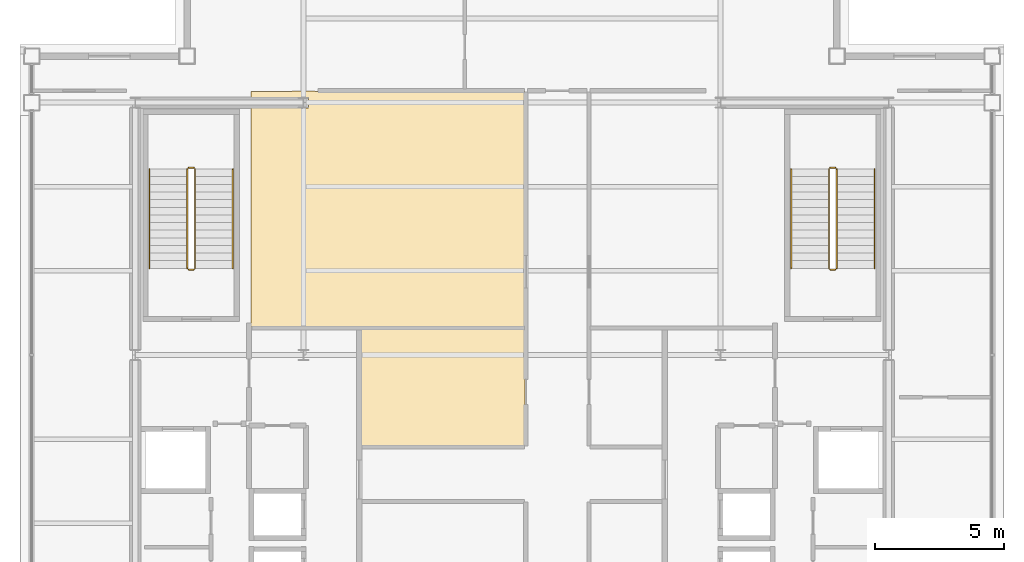
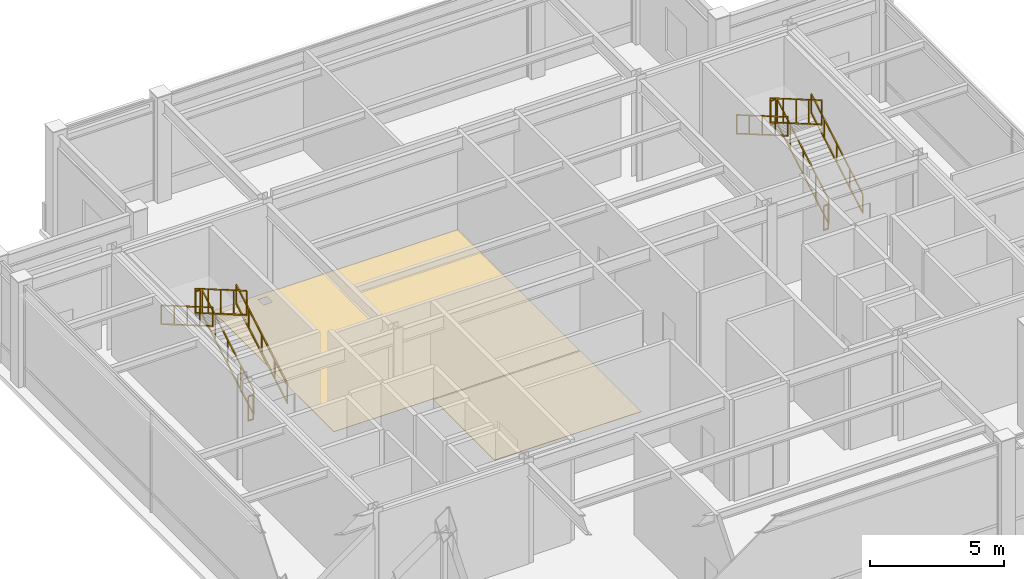
# One storey, part 21 of 21: 12 railings, 2 coverings.
"""IFC4 building model written with IfcOpenShell, lengths in metres."""

from ifc_helpers import new_model, si_unit, direction, frame, origin, origin_2d, place, context, subcontext, project, spatial, polyline, rectangle, outline, extrude, material, layer, layer_set, type_object, element, save


model = new_model("IFC4")

# Units and contexts
model_context = context("Model", 3, precision=1e-05, world=origin(), true_north=direction((0.0, 1.0)))
body_context = subcontext(model_context, "Body", "Model", "MODEL_VIEW")
ifc_project = project(units=[si_unit("LENGTHUNIT", "METRE"), si_unit("AREAUNIT", "SQUARE_METRE"), si_unit("VOLUMEUNIT", "CUBIC_METRE"), si_unit("PLANEANGLEUNIT", "RADIAN"), si_unit("MASSUNIT", "GRAM", prefix="KILO")], contexts=[model_context])

# Site, building, storey
site_placement = place(None, origin())
site = spatial("IfcSite", under=ifc_project, at=site_placement, CompositionType="ELEMENT")
building_placement = place(site_placement, origin())
building = spatial("IfcBuilding", under=site, at=building_placement, Name="Brelmoor Portico Tower", CompositionType="ELEMENT")
storey_placement = place(building_placement, frame((0.0, 0.0, 284.39990234375)))
storey = spatial("IfcBuildingStorey", under=building, at=storey_placement, Name="L75", CompositionType="ELEMENT", Elevation=284.39990234375)

# Coverings
ifc_material_1 = material(Name="Solution-Dyed Nylon Acoustic Carpet Tile", Category="textile")
ifc_layer_1 = layer(ifc_material_1, 0.013916015625)
ifc_layer_set_1 = layer_set([ifc_layer_1], Name="Solution-Dyed Nylon Acoustic Carpet Tile")
covering_type_1 = type_object("IfcCoveringType", Name="CV-FLR-CARPET-14", PredefinedType="FLOORING", material=ifc_layer_set_1)
covering_1_placement = place(storey_placement, origin())
element("IfcCovering", 1, at=covering_1_placement, inside=storey, type_object=covering_type_1, Name="L75 Architectural Floor Finish 01", PredefinedType="FLOORING", context=body_context, shape_type="SweptSolid", body=[
    extrude(outline(polyline([(-10.080078125, 10.18994140625), (-8.5, 10.18994140625), (-8.5, 10.199951171875), (-7.60009765625, 10.199951171875), (-7.60009765625, 10.18994140625), (0.510009765625, 10.18994140625), (0.510009765625, 1.090087890625), (-10.080078125, 1.090087890625), (-10.080078125, 10.18994140625)]), holes=[polyline([(-7.85009765625, 9.550048828125), (-7.85009765625, 9.949951171875), (-8.25, 9.949951171875), (-8.25, 9.550048828125), (-7.85009765625, 9.550048828125)])]), origin(), (0.0, 0.0, 1.0), 0.01416015625),
])
ifc_material_2 = material(Name="Rectified Vitrified Porcelain Floor Tile", Category="ceramic")
ifc_layer_2 = layer(ifc_material_2, 0.01806640625)
ifc_layer_set_2 = layer_set([ifc_layer_2], Name="Rectified Vitrified Porcelain Floor Tile")
covering_type_2 = type_object("IfcCoveringType", Name="CV-FLR-PORCELAIN-18", PredefinedType="FLOORING", material=ifc_layer_set_2)
covering_2_placement = place(storey_placement, origin())
element("IfcCovering", 2, at=covering_2_placement, inside=storey, type_object=covering_type_2, Name="L75 Architectural Floor Finish 02", PredefinedType="FLOORING", context=body_context, shape_type="SweptSolid", body=[
    extrude(outline(polyline([(-5.820068359375, -3.510009765625), (-5.820068359375, 1.0400390625), (0.510009765625, 1.0400390625), (0.510009765625, -3.510009765625), (-5.820068359375, -3.510009765625)])), origin(), (0.0, 0.0, 1.0), 0.01806640625),
])

# Railings
ifc_material_3 = material(Name="Painted Tubular Steel Q235B", Category="steel")
railing_type_1 = type_object("IfcRailingType", Name="RL-STAIR-GUARD", PredefinedType="GUARDRAIL", material=ifc_material_3)
railing_1_placement = place(storey_placement, frame((-12.239990234375, 3.35009765625, 0.171630859375)))
element("IfcRailing", 3, at=railing_1_placement, inside=storey, type_object=railing_type_1, Name="L75 ST-W stair guard 1", PredefinedType="GUARDRAIL", context=body_context, shape_type="SweptSolid", body=[
    extrude(rectangle(XDim=0.048095703125, YDim=0.048095703125, at=origin_2d()), frame((0.0, 0.0, 1.1259765625), z_axis=(0.0, 0.86461618451, 0.502432934314), x_axis=(-1.0, 0.0, 0.0)), (0.0, 0.0, 1.0), 4.435546875),
    extrude(rectangle(XDim=0.048095703125, YDim=0.048095703125, at=origin_2d()), frame((0.0, 0.0, 0.02392578125), z_axis=(0.0, 0.86461618451, 0.502432934314), x_axis=(-1.0, 0.0, 0.0)), (0.0, 0.0, 1.0), 4.435546875),
    extrude(rectangle(XDim=0.0419921875, YDim=0.0419921875, at=origin_2d()), origin(), (0.0, 0.0, 1.0), 1.101806640625),
    extrude(rectangle(XDim=0.0419921875, YDim=0.0419921875, at=origin_2d()), frame((0.0, 0.958740234375, 0.55712890625)), (0.0, 0.0, 1.0), 1.101806640625),
    extrude(rectangle(XDim=0.0419921875, YDim=0.0419921875, at=origin_2d()), frame((0.0, 1.91748046875, 1.1142578125)), (0.0, 0.0, 1.0), 1.101806640625),
    extrude(rectangle(XDim=0.0419921875, YDim=0.0419921875, at=origin_2d()), frame((0.0, 2.876220703125, 1.67138671875)), (0.0, 0.0, 1.0), 1.101806640625),
    extrude(rectangle(XDim=0.0419921875, YDim=0.0419921875, at=origin_2d()), frame((0.0, 3.8349609375, 2.228515625)), (0.0, 0.0, 1.0), 1.101806640625),
])
railing_2_placement = place(storey_placement, frame((-12.2900390625, 7.235107421875, 2.400146484375)))
element("IfcRailing", 4, at=railing_2_placement, inside=storey, type_object=railing_type_1, Name="L75 ST-W stair guard 2", PredefinedType="GUARDRAIL", context=body_context, shape_type="SweptSolid", body=[
    extrude(rectangle(XDim=0.048095703125, YDim=0.048095703125, at=origin_2d()), frame((0.0, 0.0, 1.1259765625), z_axis=(-1.0, 0.0, 0.0), x_axis=(0.0, -1.0, 0.0)), (0.0, 0.0, 1.0), 0.199951171875),
    extrude(rectangle(XDim=0.048095703125, YDim=0.048095703125, at=origin_2d()), frame((0.0, 0.0, 0.02392578125), z_axis=(-1.0, 0.0, 0.0), x_axis=(0.0, -1.0, 0.0)), (0.0, 0.0, 1.0), 0.199951171875),
    extrude(rectangle(XDim=0.0419921875, YDim=0.0419921875, at=origin_2d()), origin(), (0.0, 0.0, 1.0), 1.101806640625),
    extrude(rectangle(XDim=0.0419921875, YDim=0.0419921875, at=origin_2d()), frame((-0.199951171875, 0.0, 0.0)), (0.0, 0.0, 1.0), 1.101806640625),
])
railing_3_placement = place(storey_placement, frame((-12.5400390625, 7.18505859375, 2.571533203125)))
element("IfcRailing", 5, at=railing_3_placement, inside=storey, type_object=railing_type_1, Name="L75 ST-W stair guard 3", PredefinedType="GUARDRAIL", context=body_context, shape_type="SweptSolid", body=[
    extrude(rectangle(XDim=0.048095703125, YDim=0.048095703125, at=origin_2d()), frame((0.0, 0.0, 1.1259765625), z_axis=(0.0, -0.86461618451, 0.502432934314), x_axis=(1.0, 0.0, 0.0)), (0.0, 0.0, 1.0), 4.435546875),
    extrude(rectangle(XDim=0.048095703125, YDim=0.048095703125, at=origin_2d()), frame((0.0, 0.0, 0.02392578125), z_axis=(0.0, -0.86461618451, 0.502432934314), x_axis=(1.0, 0.0, 0.0)), (0.0, 0.0, 1.0), 4.435546875),
    extrude(rectangle(XDim=0.0419921875, YDim=0.0419921875, at=origin_2d()), origin(), (0.0, 0.0, 1.0), 1.101806640625),
    extrude(rectangle(XDim=0.0419921875, YDim=0.0419921875, at=origin_2d()), frame((0.0, -0.958740234375, 0.55712890625)), (0.0, 0.0, 1.0), 1.101806640625),
    extrude(rectangle(XDim=0.0419921875, YDim=0.0419921875, at=origin_2d()), frame((0.0, -1.91748046875, 1.1142578125)), (0.0, 0.0, 1.0), 1.101806640625),
    extrude(rectangle(XDim=0.0419921875, YDim=0.0419921875, at=origin_2d()), frame((0.0, -2.876220703125, 1.67138671875)), (0.0, 0.0, 1.0), 1.101806640625),
    extrude(rectangle(XDim=0.0419921875, YDim=0.0419921875, at=origin_2d()), frame((0.0, -3.8349609375, 2.228515625)), (0.0, 0.0, 1.0), 1.101806640625),
])
railing_4_placement = place(storey_placement, frame((-12.2900390625, 3.300048828125, 0.0)))
element("IfcRailing", 6, at=railing_4_placement, inside=storey, type_object=railing_type_1, Name="L75 ST-W stair guard 4", PredefinedType="GUARDRAIL", context=body_context, shape_type="SweptSolid", body=[
    extrude(rectangle(XDim=0.048095703125, YDim=0.048095703125, at=origin_2d()), frame((0.0, 0.0, 1.1259765625), z_axis=(-1.0, 0.0, 0.0), x_axis=(0.0, -1.0, 0.0)), (0.0, 0.0, 1.0), 0.199951171875),
    extrude(rectangle(XDim=0.048095703125, YDim=0.048095703125, at=origin_2d()), frame((0.0, 0.0, 0.02392578125), z_axis=(-1.0, 0.0, 0.0), x_axis=(0.0, -1.0, 0.0)), (0.0, 0.0, 1.0), 0.199951171875),
    extrude(rectangle(XDim=0.0419921875, YDim=0.0419921875, at=origin_2d()), origin(), (0.0, 0.0, 1.0), 1.101806640625),
    extrude(rectangle(XDim=0.0419921875, YDim=0.0419921875, at=origin_2d()), frame((-0.199951171875, 0.0, 0.0)), (0.0, 0.0, 1.0), 1.101806640625),
])
railing_5_placement = place(storey_placement, frame((12.5400390625, 3.35009765625, 0.171630859375)))
element("IfcRailing", 7, at=railing_5_placement, inside=storey, type_object=railing_type_1, Name="L75 ST-E stair guard 1", PredefinedType="GUARDRAIL", context=body_context, shape_type="SweptSolid", body=[
    extrude(rectangle(XDim=0.048095703125, YDim=0.048095703125, at=origin_2d()), frame((0.0, 0.0, 1.1259765625), z_axis=(0.0, 0.86461618451, 0.502432934314), x_axis=(-1.0, 0.0, 0.0)), (0.0, 0.0, 1.0), 4.435546875),
    extrude(rectangle(XDim=0.048095703125, YDim=0.048095703125, at=origin_2d()), frame((0.0, 0.0, 0.02392578125), z_axis=(0.0, 0.86461618451, 0.502432934314), x_axis=(-1.0, 0.0, 0.0)), (0.0, 0.0, 1.0), 4.435546875),
    extrude(rectangle(XDim=0.0419921875, YDim=0.0419921875, at=origin_2d()), origin(), (0.0, 0.0, 1.0), 1.101806640625),
    extrude(rectangle(XDim=0.0419921875, YDim=0.0419921875, at=origin_2d()), frame((0.0, 0.958740234375, 0.55712890625)), (0.0, 0.0, 1.0), 1.101806640625),
    extrude(rectangle(XDim=0.0419921875, YDim=0.0419921875, at=origin_2d()), frame((0.0, 1.91748046875, 1.1142578125)), (0.0, 0.0, 1.0), 1.101806640625),
    extrude(rectangle(XDim=0.0419921875, YDim=0.0419921875, at=origin_2d()), frame((0.0, 2.876220703125, 1.67138671875)), (0.0, 0.0, 1.0), 1.101806640625),
    extrude(rectangle(XDim=0.0419921875, YDim=0.0419921875, at=origin_2d()), frame((0.0, 3.8349609375, 2.228515625)), (0.0, 0.0, 1.0), 1.101806640625),
])
railing_6_placement = place(storey_placement, frame((12.489990234375, 7.235107421875, 2.400146484375)))
element("IfcRailing", 8, at=railing_6_placement, inside=storey, type_object=railing_type_1, Name="L75 ST-E stair guard 2", PredefinedType="GUARDRAIL", context=body_context, shape_type="SweptSolid", body=[
    extrude(rectangle(XDim=0.048095703125, YDim=0.048095703125, at=origin_2d()), frame((0.0, 0.0, 1.1259765625), z_axis=(-1.0, 0.0, 0.0), x_axis=(0.0, -1.0, 0.0)), (0.0, 0.0, 1.0), 0.199951171875),
    extrude(rectangle(XDim=0.048095703125, YDim=0.048095703125, at=origin_2d()), frame((0.0, 0.0, 0.02392578125), z_axis=(-1.0, 0.0, 0.0), x_axis=(0.0, -1.0, 0.0)), (0.0, 0.0, 1.0), 0.199951171875),
    extrude(rectangle(XDim=0.0419921875, YDim=0.0419921875, at=origin_2d()), origin(), (0.0, 0.0, 1.0), 1.101806640625),
    extrude(rectangle(XDim=0.0419921875, YDim=0.0419921875, at=origin_2d()), frame((-0.199951171875, 0.0, 0.0)), (0.0, 0.0, 1.0), 1.101806640625),
])
railing_7_placement = place(storey_placement, frame((12.239990234375, 7.18505859375, 2.571533203125)))
element("IfcRailing", 9, at=railing_7_placement, inside=storey, type_object=railing_type_1, Name="L75 ST-E stair guard 3", PredefinedType="GUARDRAIL", context=body_context, shape_type="SweptSolid", body=[
    extrude(rectangle(XDim=0.048095703125, YDim=0.048095703125, at=origin_2d()), frame((0.0, 0.0, 1.1259765625), z_axis=(0.0, -0.86461618451, 0.502432934314), x_axis=(1.0, 0.0, 0.0)), (0.0, 0.0, 1.0), 4.435546875),
    extrude(rectangle(XDim=0.048095703125, YDim=0.048095703125, at=origin_2d()), frame((0.0, 0.0, 0.02392578125), z_axis=(0.0, -0.86461618451, 0.502432934314), x_axis=(1.0, 0.0, 0.0)), (0.0, 0.0, 1.0), 4.435546875),
    extrude(rectangle(XDim=0.0419921875, YDim=0.0419921875, at=origin_2d()), origin(), (0.0, 0.0, 1.0), 1.101806640625),
    extrude(rectangle(XDim=0.0419921875, YDim=0.0419921875, at=origin_2d()), frame((0.0, -0.958740234375, 0.55712890625)), (0.0, 0.0, 1.0), 1.101806640625),
    extrude(rectangle(XDim=0.0419921875, YDim=0.0419921875, at=origin_2d()), frame((0.0, -1.91748046875, 1.1142578125)), (0.0, 0.0, 1.0), 1.101806640625),
    extrude(rectangle(XDim=0.0419921875, YDim=0.0419921875, at=origin_2d()), frame((0.0, -2.876220703125, 1.67138671875)), (0.0, 0.0, 1.0), 1.101806640625),
    extrude(rectangle(XDim=0.0419921875, YDim=0.0419921875, at=origin_2d()), frame((0.0, -3.8349609375, 2.228515625)), (0.0, 0.0, 1.0), 1.101806640625),
])
railing_8_placement = place(storey_placement, frame((12.489990234375, 3.300048828125, 0.0)))
element("IfcRailing", 10, at=railing_8_placement, inside=storey, type_object=railing_type_1, Name="L75 ST-E stair guard 4", PredefinedType="GUARDRAIL", context=body_context, shape_type="SweptSolid", body=[
    extrude(rectangle(XDim=0.048095703125, YDim=0.048095703125, at=origin_2d()), frame((0.0, 0.0, 1.1259765625), z_axis=(-1.0, 0.0, 0.0), x_axis=(0.0, -1.0, 0.0)), (0.0, 0.0, 1.0), 0.199951171875),
    extrude(rectangle(XDim=0.048095703125, YDim=0.048095703125, at=origin_2d()), frame((0.0, 0.0, 0.02392578125), z_axis=(-1.0, 0.0, 0.0), x_axis=(0.0, -1.0, 0.0)), (0.0, 0.0, 1.0), 0.199951171875),
    extrude(rectangle(XDim=0.0419921875, YDim=0.0419921875, at=origin_2d()), origin(), (0.0, 0.0, 1.0), 1.101806640625),
    extrude(rectangle(XDim=0.0419921875, YDim=0.0419921875, at=origin_2d()), frame((-0.199951171875, 0.0, 0.0)), (0.0, 0.0, 1.0), 1.101806640625),
])
ifc_material_4 = material(Name="Brushed Stainless Steel 304", Category="steel")
railing_type_2 = type_object("IfcRailingType", Name="RL-STAIR-HANDRAIL", PredefinedType="HANDRAIL", material=ifc_material_4)
railing_9_placement = place(storey_placement, frame((-10.780029296875, 3.35009765625, 0.171630859375)))
element("IfcRailing", 11, at=railing_9_placement, inside=storey, type_object=railing_type_2, Name="L75 ST-W stair handrail 1", PredefinedType="HANDRAIL", context=body_context, shape_type="SweptSolid", body=[
    extrude(rectangle(XDim=0.048095703125, YDim=0.048095703125, at=origin_2d()), frame((0.0, 0.0, 0.8759765625), z_axis=(0.0, 0.86461618451, 0.502432934314), x_axis=(-1.0, 0.0, 0.0)), (0.0, 0.0, 1.0), 4.435546875),
    extrude(rectangle(XDim=0.048095703125, YDim=0.048095703125, at=origin_2d()), frame((0.0, 0.0, 0.02392578125), z_axis=(0.0, 0.86461618451, 0.502432934314), x_axis=(-1.0, 0.0, 0.0)), (0.0, 0.0, 1.0), 4.435546875),
    extrude(rectangle(XDim=0.0419921875, YDim=0.0419921875, at=origin_2d()), origin(), (0.0, 0.0, 1.0), 0.851806640625),
    extrude(rectangle(XDim=0.0419921875, YDim=0.0419921875, at=origin_2d()), frame((0.0, 0.958740234375, 0.55712890625)), (0.0, 0.0, 1.0), 0.851806640625),
    extrude(rectangle(XDim=0.0419921875, YDim=0.0419921875, at=origin_2d()), frame((0.0, 1.91748046875, 1.1142578125)), (0.0, 0.0, 1.0), 0.851806640625),
    extrude(rectangle(XDim=0.0419921875, YDim=0.0419921875, at=origin_2d()), frame((0.0, 2.876220703125, 1.67138671875)), (0.0, 0.0, 1.0), 0.851806640625),
    extrude(rectangle(XDim=0.0419921875, YDim=0.0419921875, at=origin_2d()), frame((0.0, 3.8349609375, 2.228515625)), (0.0, 0.0, 1.0), 0.851806640625),
])
railing_10_placement = place(storey_placement, frame((-14.0, 7.18505859375, 2.571533203125)))
element("IfcRailing", 12, at=railing_10_placement, inside=storey, type_object=railing_type_2, Name="L75 ST-W stair handrail 2", PredefinedType="HANDRAIL", context=body_context, shape_type="SweptSolid", body=[
    extrude(rectangle(XDim=0.048095703125, YDim=0.048095703125, at=origin_2d()), frame((0.0, 0.0, 0.8759765625), z_axis=(0.0, -0.86461618451, 0.502432934314), x_axis=(1.0, 0.0, 0.0)), (0.0, 0.0, 1.0), 4.435546875),
    extrude(rectangle(XDim=0.048095703125, YDim=0.048095703125, at=origin_2d()), frame((0.0, 0.0, 0.02392578125), z_axis=(0.0, -0.86461618451, 0.502432934314), x_axis=(1.0, 0.0, 0.0)), (0.0, 0.0, 1.0), 4.435546875),
    extrude(rectangle(XDim=0.0419921875, YDim=0.0419921875, at=origin_2d()), origin(), (0.0, 0.0, 1.0), 0.851806640625),
    extrude(rectangle(XDim=0.0419921875, YDim=0.0419921875, at=origin_2d()), frame((0.0, -0.958740234375, 0.55712890625)), (0.0, 0.0, 1.0), 0.851806640625),
    extrude(rectangle(XDim=0.0419921875, YDim=0.0419921875, at=origin_2d()), frame((0.0, -1.91748046875, 1.1142578125)), (0.0, 0.0, 1.0), 0.851806640625),
    extrude(rectangle(XDim=0.0419921875, YDim=0.0419921875, at=origin_2d()), frame((0.0, -2.876220703125, 1.67138671875)), (0.0, 0.0, 1.0), 0.851806640625),
    extrude(rectangle(XDim=0.0419921875, YDim=0.0419921875, at=origin_2d()), frame((0.0, -3.8349609375, 2.228515625)), (0.0, 0.0, 1.0), 0.851806640625),
])
railing_11_placement = place(storey_placement, frame((14.0, 3.35009765625, 0.171630859375)))
element("IfcRailing", 13, at=railing_11_placement, inside=storey, type_object=railing_type_2, Name="L75 ST-E stair handrail 1", PredefinedType="HANDRAIL", context=body_context, shape_type="SweptSolid", body=[
    extrude(rectangle(XDim=0.048095703125, YDim=0.048095703125, at=origin_2d()), frame((0.0, 0.0, 0.8759765625), z_axis=(0.0, 0.86461618451, 0.502432934314), x_axis=(-1.0, 0.0, 0.0)), (0.0, 0.0, 1.0), 4.435546875),
    extrude(rectangle(XDim=0.048095703125, YDim=0.048095703125, at=origin_2d()), frame((0.0, 0.0, 0.02392578125), z_axis=(0.0, 0.86461618451, 0.502432934314), x_axis=(-1.0, 0.0, 0.0)), (0.0, 0.0, 1.0), 4.435546875),
    extrude(rectangle(XDim=0.0419921875, YDim=0.0419921875, at=origin_2d()), origin(), (0.0, 0.0, 1.0), 0.851806640625),
    extrude(rectangle(XDim=0.0419921875, YDim=0.0419921875, at=origin_2d()), frame((0.0, 0.958740234375, 0.55712890625)), (0.0, 0.0, 1.0), 0.851806640625),
    extrude(rectangle(XDim=0.0419921875, YDim=0.0419921875, at=origin_2d()), frame((0.0, 1.91748046875, 1.1142578125)), (0.0, 0.0, 1.0), 0.851806640625),
    extrude(rectangle(XDim=0.0419921875, YDim=0.0419921875, at=origin_2d()), frame((0.0, 2.876220703125, 1.67138671875)), (0.0, 0.0, 1.0), 0.851806640625),
    extrude(rectangle(XDim=0.0419921875, YDim=0.0419921875, at=origin_2d()), frame((0.0, 3.8349609375, 2.228515625)), (0.0, 0.0, 1.0), 0.851806640625),
])
railing_12_placement = place(storey_placement, frame((10.780029296875, 7.18505859375, 2.571533203125)))
element("IfcRailing", 14, at=railing_12_placement, inside=storey, type_object=railing_type_2, Name="L75 ST-E stair handrail 2", PredefinedType="HANDRAIL", context=body_context, shape_type="SweptSolid", body=[
    extrude(rectangle(XDim=0.048095703125, YDim=0.048095703125, at=origin_2d()), frame((0.0, 0.0, 0.8759765625), z_axis=(0.0, -0.86461618451, 0.502432934314), x_axis=(1.0, 0.0, 0.0)), (0.0, 0.0, 1.0), 4.435546875),
    extrude(rectangle(XDim=0.048095703125, YDim=0.048095703125, at=origin_2d()), frame((0.0, 0.0, 0.02392578125), z_axis=(0.0, -0.86461618451, 0.502432934314), x_axis=(1.0, 0.0, 0.0)), (0.0, 0.0, 1.0), 4.435546875),
    extrude(rectangle(XDim=0.0419921875, YDim=0.0419921875, at=origin_2d()), origin(), (0.0, 0.0, 1.0), 0.851806640625),
    extrude(rectangle(XDim=0.0419921875, YDim=0.0419921875, at=origin_2d()), frame((0.0, -0.958740234375, 0.55712890625)), (0.0, 0.0, 1.0), 0.851806640625),
    extrude(rectangle(XDim=0.0419921875, YDim=0.0419921875, at=origin_2d()), frame((0.0, -1.91748046875, 1.1142578125)), (0.0, 0.0, 1.0), 0.851806640625),
    extrude(rectangle(XDim=0.0419921875, YDim=0.0419921875, at=origin_2d()), frame((0.0, -2.876220703125, 1.67138671875)), (0.0, 0.0, 1.0), 0.851806640625),
    extrude(rectangle(XDim=0.0419921875, YDim=0.0419921875, at=origin_2d()), frame((0.0, -3.8349609375, 2.228515625)), (0.0, 0.0, 1.0), 0.851806640625),
])

save(model, "model.ifc")
